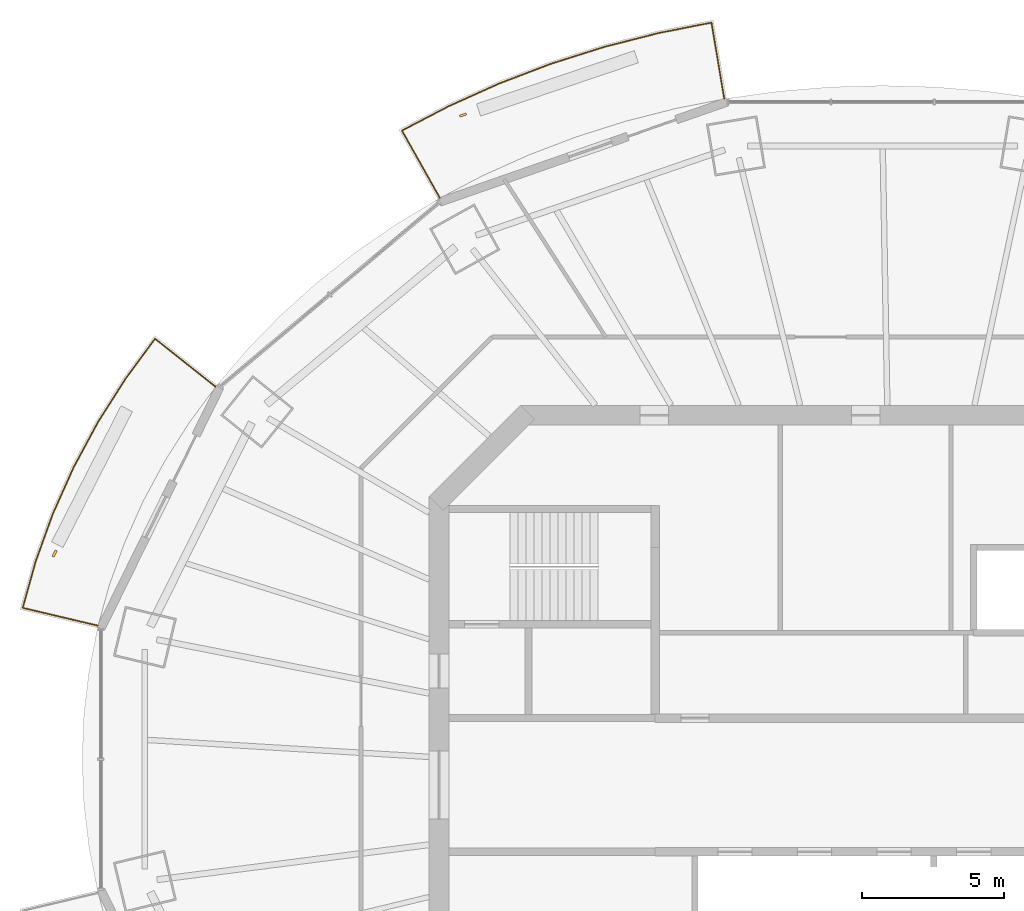
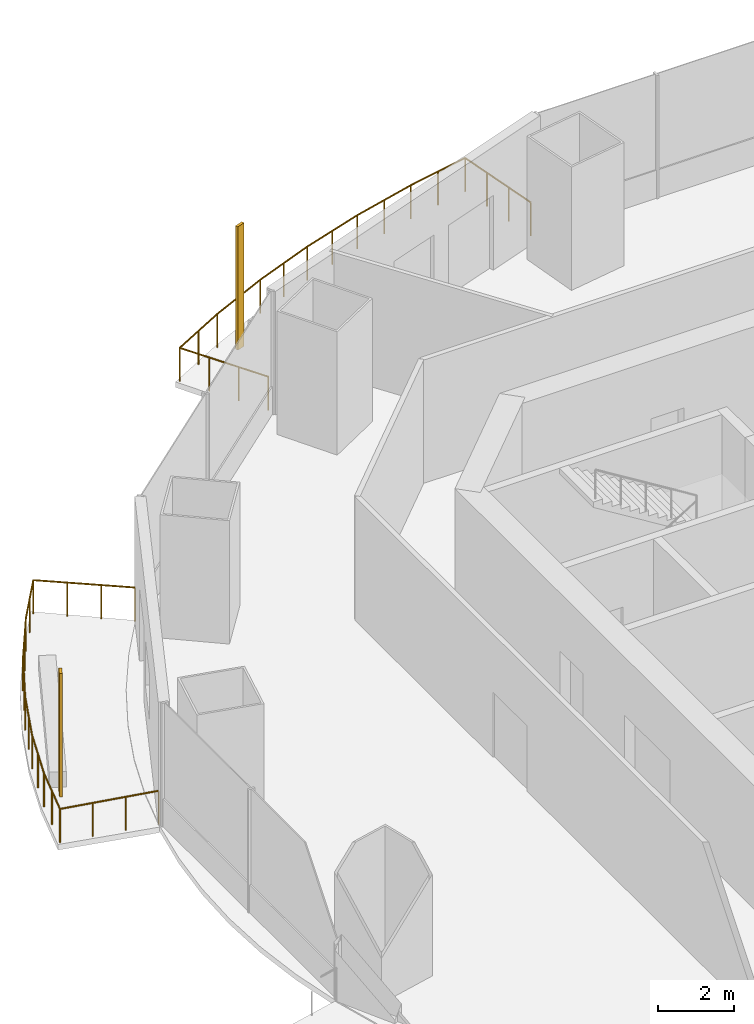
# One storey, part 14 of 16: 2 railings, 2 shading devices.
"""IFC4 building model written with IfcOpenShell, lengths in metres."""

import ifcopenshell
import ifcopenshell.guid

model = None  # the IFC model being written
_history = None  # IfcOwnerHistory: only IFC2X3 demands one
_inside = {}  # id of a spatial element -> (the spatial element, [elements in it])
_under = {}  # id of a project, library or spatial element -> (it, [spatial elements below it])
_declared = {}  # id of a project -> (the project, [libraries it declares])
_typed = {}  # id of a type object -> (the type object, [elements of that type])
_made_of = {}  # id of a material, layer set ... -> (it, [elements and type objects made of it])


def new_model(schema):
    """Start an empty IFC model of exactly this schema.

    Asked for "IFC4X3", IfcOpenShell would pick the latest addendum, in which some entities
    have other attributes; the version numbers below select the first issue.
    IFC2X3 requires an IfcOwnerHistory on every rooted entity: one is made here for all.
    """
    global model, _history
    if schema == "IFC4X3":
        model = ifcopenshell.file(schema_version=(4, 3, 0, 0))
    else:
        model = ifcopenshell.file(schema=schema)
    _inside.clear()
    _under.clear()
    _declared.clear()
    _typed.clear()
    _made_of.clear()
    _history = None
    if model.schema == "IFC2X3":
        org = make("IfcOrganization", Name="unknown")
        user = make(
            "IfcPersonAndOrganization",
            ThePerson=make("IfcPerson", FamilyName="unknown"),
            TheOrganization=org,
        )
        app = make(
            "IfcApplication",
            ApplicationDeveloper=org,
            Version="unknown",
            ApplicationFullName="unknown",
            ApplicationIdentifier="unknown",
        )
        _history = make(
            "IfcOwnerHistory",
            OwningUser=user,
            OwningApplication=app,
            ChangeAction="ADDED",
            CreationDate=0,
        )
    return model


def make(cls, **values):
    """One entity of the class cls with the attributes given. An attribute that is None is left unset."""
    return model.create_entity(
        cls, **{name: value for name, value in values.items() if value is not None}
    )


def rooted(cls, **values):
    """An entity with a GlobalId (a new one), such as an element, a storey or a relation."""
    return make(cls, GlobalId=ifcopenshell.guid.new(), OwnerHistory=_history, **values)


def si_unit(unit_type, name, prefix=None):
    """IfcSIUnit, for example si_unit("LENGTHUNIT", "METRE", prefix="MILLI")."""
    return make("IfcSIUnit", UnitType=unit_type, Prefix=prefix, Name=name)


def assignment(units):
    """IfcUnitAssignment: the units of a project."""
    return None if units is None else make("IfcUnitAssignment", Units=units)


def point(xyz):
    """IfcCartesianPoint."""
    return None if xyz is None else make("IfcCartesianPoint", Coordinates=xyz)


def direction(xyz):
    """IfcDirection."""
    return None if xyz is None else make("IfcDirection", DirectionRatios=xyz)


def frame(location, z_axis=None, x_axis=None):
    """IfcAxis2Placement3D, a coordinate frame: its origin and axes. An axis left out is left unset."""
    return make(
        "IfcAxis2Placement3D",
        Location=point(location),
        Axis=direction(z_axis),
        RefDirection=direction(x_axis),
    )


def frame_2d(location, x_axis=None):
    """IfcAxis2Placement2D, a coordinate frame in the plane: its origin and x axis."""
    return make(
        "IfcAxis2Placement2D", Location=point(location), RefDirection=direction(x_axis)
    )


def origin():
    """The frame at (0, 0, 0) with its axes left unset."""
    return frame((0.0, 0.0, 0.0))


def origin_2d():
    """The frame at (0, 0) in the plane with its x axis left unset."""
    return frame_2d((0.0, 0.0))


def place(relative_to, where):
    """IfcLocalPlacement: puts the frame where relative to a parent placement (None: the world)."""
    return make(
        "IfcLocalPlacement", PlacementRelTo=relative_to, RelativePlacement=where
    )


def context(
    kind, dimensions, precision=None, world=None, true_north=None, identifier=None
):
    """IfcGeometricRepresentationContext, for example the 3D "Model" context."""
    return make(
        "IfcGeometricRepresentationContext",
        ContextIdentifier=identifier,
        ContextType=kind,
        CoordinateSpaceDimension=dimensions,
        Precision=precision,
        WorldCoordinateSystem=world,
        TrueNorth=true_north,
    )


def subcontext(parent, identifier, kind, view, scale=None):
    """IfcGeometricRepresentationSubContext, for example "Body" below "Model"."""
    return make(
        "IfcGeometricRepresentationSubContext",
        ContextIdentifier=identifier,
        ContextType=kind,
        ParentContext=parent,
        TargetScale=scale,
        TargetView=view,
    )


def project(units=None, contexts=None):
    """IfcProject with its units and contexts."""
    return rooted(
        "IfcProject",
        Name="project",
        RepresentationContexts=contexts,
        UnitsInContext=assignment(units),
    )


def spatial(cls, under=None, at=None, **own):
    """A site, building, storey or space (cls), placed at a placement, below another one or the project."""
    s = rooted(cls, ObjectPlacement=at, **own)
    if under is not None:
        _under.setdefault(under.id(), (under, []))[1].append(s)
    return s


def profile(cls, at=None, kind="AREA", **sizes):
    """A parametric profile (cls). Its sizes go by their IFC names, for example OverallWidth=200.0."""
    return make(cls, ProfileType=kind, Position=at, **sizes)


def rectangle(**sizes):
    """IfcRectangleProfileDef."""
    return profile("IfcRectangleProfileDef", **sizes)


def circle(**sizes):
    """IfcCircleProfileDef."""
    return profile("IfcCircleProfileDef", **sizes)


def extrude(swept, where, along, depth):
    """IfcExtrudedAreaSolid: the profile swept, set in the frame where, extruded along a direction by depth."""
    return make(
        "IfcExtrudedAreaSolid",
        SweptArea=swept,
        Position=where,
        ExtrudedDirection=direction(along),
        Depth=depth,
    )


def shape(context_of_items, identifier, shape_type, items):
    """IfcShapeRepresentation: the items that make up one representation, for example the "Body"."""
    return make(
        "IfcShapeRepresentation",
        ContextOfItems=context_of_items,
        RepresentationIdentifier=identifier,
        RepresentationType=shape_type,
        Items=items,
    )


def material(Name=None, Category=None):
    """IfcMaterial."""
    return make("IfcMaterial", Name=Name, Category=Category)


def material_profile(
    of_material, cross_section, Name=None, Category=None, Priority=None
):
    """IfcMaterialProfile: a cross section and its material."""
    return make(
        "IfcMaterialProfile",
        Name=Name,
        Material=of_material,
        Profile=cross_section,
        Priority=Priority,
        Category=Category,
    )


def profile_set(profiles, Name=None, composite=None):
    """IfcMaterialProfileSet."""
    return make(
        "IfcMaterialProfileSet",
        Name=Name,
        MaterialProfiles=profiles,
        CompositeProfile=composite,
    )


def made_of(thing, what):
    """Note that an element or type object is made of a material, layer set ...; save() writes the relation."""
    if what is not None:
        _made_of.setdefault(what.id(), (what, []))[1].append(thing)
    return thing


def type_object(cls, material=None, **own):
    """A type object (cls), such as IfcWallType, which elements share."""
    return made_of(rooted(cls, **own), material)


def element(
    cls,
    number,
    at=None,
    inside=None,
    cuts=None,
    type_object=None,
    material=None,
    context=None,
    identifier="Body",
    shape_type=None,
    held_by="IfcProductDefinitionShape",
    body=None,
    shapes=None,
    **own,
):
    """One element of the class cls, such as IfcWall. Its Tag is "e" and its number.

    at: its placement. inside: the storey or other place that contains it. cuts: it is an
    opening in that element (IfcRelVoidsElement). A single representation is given by context,
    identifier, shape_type and body (its items); several are given by shapes. held_by: the class
    of the entity that holds the representations. save() writes the other relations.
    """
    e = rooted(cls, Tag="e%d" % number, ObjectPlacement=at, **own)
    if body is not None:
        shapes = [shape(context, identifier, shape_type, body)]
    if shapes is not None:
        e.Representation = make(held_by, Representations=shapes)
    if inside is not None:
        _inside.setdefault(inside.id(), (inside, []))[1].append(e)
    if cuts is not None:
        rooted(
            "IfcRelVoidsElement", RelatingBuildingElement=cuts, RelatedOpeningElement=e
        )
    if type_object is not None:
        _typed.setdefault(type_object.id(), (type_object, []))[1].append(e)
    return made_of(e, material)


def aggregate(whole, parts):
    """IfcRelAggregates: a whole, such as a stair, and the parts it consists of."""
    return rooted("IfcRelAggregates", RelatingObject=whole, RelatedObjects=parts)


def save(model, path):
    """Write the relations noted so far, then the file.

    IfcRelAggregates (storeys below a building ...), IfcRelContainedInSpatialStructure (elements
    in a storey), IfcRelDefinesByType, IfcRelAssociatesMaterial and IfcRelDeclares: one each for
    every whole, place, type object, material and project.
    """
    for whole, parts in _under.values():
        aggregate(whole, parts)
    for where, things in _inside.values():
        rooted(
            "IfcRelContainedInSpatialStructure",
            RelatedElements=things,
            RelatingStructure=where,
        )
    for kind, things in _typed.values():
        rooted("IfcRelDefinesByType", RelatedObjects=things, RelatingType=kind)
    for what, things in _made_of.values():
        rooted("IfcRelAssociatesMaterial", RelatedObjects=things, RelatingMaterial=what)
    for by, libraries in _declared.values():
        rooted("IfcRelDeclares", RelatingContext=by, RelatedDefinitions=libraries)
    model.write(path)


model = new_model("IFC4")

# Units and contexts
model_context = context("Model", 3, precision=1e-05, world=origin(), true_north=direction((0.0, 1.0)))
body_context = subcontext(model_context, "Body", "Model", "MODEL_VIEW")
ifc_project = project(units=[si_unit("LENGTHUNIT", "METRE"), si_unit("AREAUNIT", "SQUARE_METRE"), si_unit("VOLUMEUNIT", "CUBIC_METRE"), si_unit("PLANEANGLEUNIT", "RADIAN"), si_unit("MASSUNIT", "GRAM", prefix="KILO")], contexts=[model_context])

# Site, building, storey
site_placement = place(None, origin())
site = spatial("IfcSite", under=ifc_project, at=site_placement, CompositionType="ELEMENT")
building_placement = place(site_placement, origin())
building = spatial("IfcBuilding", under=site, at=building_placement, Name="Marenthal Gate Tower", CompositionType="ELEMENT")
storey_placement = place(building_placement, frame((0.0, 0.0, 313.550048828125)))
storey = spatial("IfcBuildingStorey", under=building, at=storey_placement, Name="L70", CompositionType="ELEMENT", Elevation=313.550048828125)

# Railings
ifc_material_1 = material(Name="Stainless steel", Category="steel")
railing_type = type_object("IfcRailingType", Name="Balcony guard 1100", PredefinedType="GUARDRAIL", material=ifc_material_1)
railing_1_placement = place(storey_placement, frame((-15.9716796875, 20.638427734375, 0.0)))
element("IfcRailing", 1, at=railing_1_placement, inside=storey, type_object=railing_type, Name="Balcony guard L70 bay 5", PredefinedType="GUARDRAIL", context=body_context, shape_type="SweptSolid", body=[
    extrude(circle(Radius=0.02392578125, at=origin_2d()), frame((0.0, 0.0, 1.076171875), z_axis=(-0.490459508418, 0.871339682934, -0.014718272531), x_axis=(-0.871434076359, -0.490512640571, 0.0)), (0.0, 0.0, 1.0), 2.720458984375),
    extrude(circle(Radius=0.02392578125, at=origin_2d()), frame((-1.334228515625, 2.370361328125, 1.0361328125), z_axis=(0.88661074156, 0.462516370467, 0.0), x_axis=(-0.462516370467, 0.88661074156, 0.0)), (0.0, 0.0, 1.0), 1.84912109375),
    extrude(circle(Radius=0.02392578125, at=origin_2d()), frame((0.30517578125, 3.2255859375, 1.0361328125), z_axis=(0.911982656783, 0.4102287578, 0.0), x_axis=(-0.4102287578, 0.911982656783, 0.0)), (0.0, 0.0, 1.0), 1.94189453125),
    extrude(circle(Radius=0.02392578125, at=origin_2d()), frame((2.076171875, 4.022216796875, 1.0361328125), z_axis=(0.934378809017, 0.356281126723, 0.0), x_axis=(-0.356281126723, 0.934378809017, 0.0)), (0.0, 0.0, 1.0), 1.95361328125),
    extrude(circle(Radius=0.02392578125, at=origin_2d()), frame((3.901611328125, 4.71826171875, 1.0361328125), z_axis=(0.953300483084, 0.302023490729, 0.0), x_axis=(-0.302023490729, 0.953300483084, 0.0)), (0.0, 0.0, 1.0), 1.96435546875),
    extrude(circle(Radius=0.02392578125, at=origin_2d()), frame((5.774169921875, 5.3115234375, 1.0361328125), z_axis=(0.968929698625, 0.247336287518, 0.0), x_axis=(-0.247336287518, 0.968929698625, 0.0)), (0.0, 0.0, 1.0), 1.97314453125),
    extrude(circle(Radius=0.02392578125, at=origin_2d()), frame((7.68603515625, 5.799560546875, 1.0361328125), z_axis=(0.981061826101, 0.193694846002, 0.0), x_axis=(-0.193694846002, 0.981061826101, 0.0)), (0.0, 0.0, 1.0), 1.900634765625),
    extrude(circle(Radius=0.02392578125, at=origin_2d()), frame((9.55078125, 6.167724609375, 1.0361328125), z_axis=(0.165225230724, -0.986146026723, 0.014718597414), x_axis=(0.986252861995, 0.165243130591, 0.0)), (0.0, 0.0, 1.0), 2.72021484375),
    extrude(circle(Radius=0.02099609375, at=origin_2d()), origin(), (0.0, 0.0, 1.0), 1.052001953125),
    extrude(circle(Radius=0.02099609375, at=origin_2d()), frame((-0.44482421875, 0.7900390625, -0.013427734375)), (0.0, 0.0, 1.0), 1.052001953125),
    extrude(circle(Radius=0.02099609375, at=origin_2d()), frame((-0.889404296875, 1.580322265625, -0.026611328125)), (0.0, 0.0, 1.0), 1.052001953125),
    extrude(circle(Radius=0.02099609375, at=origin_2d()), frame((-1.334228515625, 2.370361328125, -0.0400390625)), (0.0, 0.0, 1.0), 1.052001953125),
    extrude(circle(Radius=0.02099609375, at=origin_2d()), frame((-0.5146484375, 2.7978515625, -0.0400390625)), (0.0, 0.0, 1.0), 1.052001953125),
    extrude(circle(Radius=0.02099609375, at=origin_2d()), frame((0.30517578125, 3.2255859375, -0.0400390625)), (0.0, 0.0, 1.0), 1.052001953125),
    extrude(circle(Radius=0.02099609375, at=origin_2d()), frame((1.190673828125, 3.6240234375, -0.0400390625)), (0.0, 0.0, 1.0), 1.052001953125),
    extrude(circle(Radius=0.02099609375, at=origin_2d()), frame((2.076171875, 4.022216796875, -0.0400390625)), (0.0, 0.0, 1.0), 1.052001953125),
    extrude(circle(Radius=0.02099609375, at=origin_2d()), frame((2.98876953125, 4.3701171875, -0.0400390625)), (0.0, 0.0, 1.0), 1.052001953125),
    extrude(circle(Radius=0.02099609375, at=origin_2d()), frame((3.901611328125, 4.71826171875, -0.0400390625)), (0.0, 0.0, 1.0), 1.052001953125),
    extrude(circle(Radius=0.02099609375, at=origin_2d()), frame((4.837890625, 5.014892578125, -0.0400390625)), (0.0, 0.0, 1.0), 1.052001953125),
    extrude(circle(Radius=0.02099609375, at=origin_2d()), frame((5.774169921875, 5.3115234375, -0.0400390625)), (0.0, 0.0, 1.0), 1.052001953125),
    extrude(circle(Radius=0.02099609375, at=origin_2d()), frame((6.72998046875, 5.5556640625, -0.0400390625)), (0.0, 0.0, 1.0), 1.052001953125),
    extrude(circle(Radius=0.02099609375, at=origin_2d()), frame((7.68603515625, 5.799560546875, -0.0400390625)), (0.0, 0.0, 1.0), 1.052001953125),
    extrude(circle(Radius=0.02099609375, at=origin_2d()), frame((8.618408203125, 5.983642578125, -0.0400390625)), (0.0, 0.0, 1.0), 1.052001953125),
    extrude(circle(Radius=0.02099609375, at=origin_2d()), frame((9.55078125, 6.167724609375, -0.0400390625)), (0.0, 0.0, 1.0), 1.052001953125),
    extrude(circle(Radius=0.02099609375, at=origin_2d()), frame((9.70068359375, 5.2734375, -0.026611328125)), (0.0, 0.0, 1.0), 1.052001953125),
    extrude(circle(Radius=0.02099609375, at=origin_2d()), frame((9.850341796875, 4.37939453125, -0.013427734375)), (0.0, 0.0, 1.0), 1.052001953125),
    extrude(circle(Radius=0.02099609375, at=origin_2d()), frame((10.000244140625, 3.485107421875, 0.0)), (0.0, 0.0, 1.0), 1.052001953125),
])
railing_2_placement = place(storey_placement, frame((-27.99462890625, 5.599853515625, 0.0)))
element("IfcRailing", 2, at=railing_2_placement, inside=storey, type_object=railing_type, Name="Balcony guard L70 bay 7", PredefinedType="GUARDRAIL", context=body_context, shape_type="SweptSolid", body=[
    extrude(circle(Radius=0.02392578125, at=origin_2d()), frame((0.0, 0.0, 1.076171875), z_axis=(-0.973117172157, 0.229839811666, -0.014718363574), x_axis=(-0.229864710837, -0.973222592582, 0.0)), (0.0, 0.0, 1.0), 2.720458984375),
    extrude(circle(Radius=0.02392578125, at=origin_2d()), frame((-2.647216796875, 0.625244140625, 1.0361328125), z_axis=(0.268699441424, 0.963224070598, 0.0), x_axis=(-0.963224070598, 0.268699441424, 0.0)), (0.0, 0.0, 1.0), 1.693603515625),
    extrude(circle(Radius=0.02392578125, at=origin_2d()), frame((-2.192138671875, 2.256591796875, 1.0361328125), z_axis=(0.33912231199, 0.940742290699, 0.0), x_axis=(-0.940742290699, 0.33912231199, 0.0)), (0.0, 0.0, 1.0), 1.781005859375),
    extrude(circle(Radius=0.02392578125, at=origin_2d()), frame((-1.588134765625, 3.93212890625, 1.0361328125), z_axis=(0.408186684853, 0.912898477547, 0.0), x_axis=(-0.912898477547, 0.408186684853, 0.0)), (0.0, 0.0, 1.0), 1.790771484375),
    extrude(circle(Radius=0.02392578125, at=origin_2d()), frame((-0.857177734375, 5.56689453125, 1.0361328125), z_axis=(0.473954337588, 0.880549422736, 0.0), x_axis=(-0.880549422736, 0.473954337588, 0.0)), (0.0, 0.0, 1.0), 1.80126953125),
    extrude(circle(Radius=0.02392578125, at=origin_2d()), frame((-0.00341796875, 7.153076171875, 1.0361328125), z_axis=(0.536204581752, 0.844088056134, 0.0), x_axis=(-0.844088056134, 0.536204581752, 0.0)), (0.0, 0.0, 1.0), 1.8134765625),
    extrude(circle(Radius=0.02392578125, at=origin_2d()), frame((0.968994140625, 8.683837890625, 1.0361328125), z_axis=(0.592931999647, 0.805252534174, 0.0), x_axis=(-0.805252534174, 0.592931999647, 0.0)), (0.0, 0.0, 1.0), 1.74658203125),
    extrude(circle(Radius=0.02392578125, at=origin_2d()), frame((2.004638671875, 10.09033203125, 1.0361328125), z_axis=(0.783412805751, -0.621327397665, 0.014718719228), x_axis=(0.621394711002, 0.78349767909, 0.0)), (0.0, 0.0, 1.0), 2.72021484375),
    extrude(circle(Radius=0.02099609375, at=origin_2d()), origin(), (0.0, 0.0, 1.0), 1.052001953125),
    extrude(circle(Radius=0.02099609375, at=origin_2d()), frame((-0.88232421875, 0.20849609375, -0.013427734375)), (0.0, 0.0, 1.0), 1.052001953125),
    extrude(circle(Radius=0.02099609375, at=origin_2d()), frame((-1.764892578125, 0.416748046875, -0.026611328125)), (0.0, 0.0, 1.0), 1.052001953125),
    extrude(circle(Radius=0.02099609375, at=origin_2d()), frame((-2.647216796875, 0.625244140625, -0.0400390625)), (0.0, 0.0, 1.0), 1.052001953125),
    extrude(circle(Radius=0.02099609375, at=origin_2d()), frame((-2.419677734375, 1.44091796875, -0.0400390625)), (0.0, 0.0, 1.0), 1.052001953125),
    extrude(circle(Radius=0.02099609375, at=origin_2d()), frame((-2.192138671875, 2.256591796875, -0.0400390625)), (0.0, 0.0, 1.0), 1.052001953125),
    extrude(circle(Radius=0.02099609375, at=origin_2d()), frame((-1.89013671875, 3.09423828125, -0.0400390625)), (0.0, 0.0, 1.0), 1.052001953125),
    extrude(circle(Radius=0.02099609375, at=origin_2d()), frame((-1.588134765625, 3.93212890625, -0.0400390625)), (0.0, 0.0, 1.0), 1.052001953125),
    extrude(circle(Radius=0.02099609375, at=origin_2d()), frame((-1.22265625, 4.74951171875, -0.0400390625)), (0.0, 0.0, 1.0), 1.052001953125),
    extrude(circle(Radius=0.02099609375, at=origin_2d()), frame((-0.857177734375, 5.56689453125, -0.0400390625)), (0.0, 0.0, 1.0), 1.052001953125),
    extrude(circle(Radius=0.02099609375, at=origin_2d()), frame((-0.43017578125, 6.35986328125, -0.0400390625)), (0.0, 0.0, 1.0), 1.052001953125),
    extrude(circle(Radius=0.02099609375, at=origin_2d()), frame((-0.00341796875, 7.153076171875, -0.0400390625)), (0.0, 0.0, 1.0), 1.052001953125),
    extrude(circle(Radius=0.02099609375, at=origin_2d()), frame((0.48291015625, 7.91845703125, -0.0400390625)), (0.0, 0.0, 1.0), 1.052001953125),
    extrude(circle(Radius=0.02099609375, at=origin_2d()), frame((0.968994140625, 8.683837890625, -0.0400390625)), (0.0, 0.0, 1.0), 1.052001953125),
    extrude(circle(Radius=0.02099609375, at=origin_2d()), frame((1.48681640625, 9.38720703125, -0.0400390625)), (0.0, 0.0, 1.0), 1.052001953125),
    extrude(circle(Radius=0.02099609375, at=origin_2d()), frame((2.004638671875, 10.09033203125, -0.0400390625)), (0.0, 0.0, 1.0), 1.052001953125),
    extrude(circle(Radius=0.02099609375, at=origin_2d()), frame((2.715087890625, 9.52685546875, -0.026611328125)), (0.0, 0.0, 1.0), 1.052001953125),
    extrude(circle(Radius=0.02099609375, at=origin_2d()), frame((3.42529296875, 8.963623046875, -0.013427734375)), (0.0, 0.0, 1.0), 1.052001953125),
    extrude(circle(Radius=0.02099609375, at=origin_2d()), frame((4.1357421875, 8.400146484375, 0.0)), (0.0, 0.0, 1.0), 1.052001953125),
])

# Shading devices
ifc_material_2 = material(Name="Terracotta", Category="masonry")
ifc_material_profile = material_profile(ifc_material_2, rectangle(XDim=0.25, YDim=0.080078125, at=origin_2d()), Name="Terracotta baguette 250x80")
ifc_profile_set = profile_set([ifc_material_profile], Name="Terracotta")
shading_device_type = type_object("IfcShadingDeviceType", Name="Terracotta BAGUETTE SCREEN 250x80", PredefinedType="USERDEFINED", material=ifc_profile_set)
for number, where, z_axis, x_axis, name in (
    (3, (-15.156494140625, 23.55615234375, -0.0400390625), (0.0, 0.0, 1.0), (-0.944249095616, -0.329231902203, 0.0), "Terracotta BAGUETTE L70 bay 5R"),
    (4, (-29.52001953125, 8.13720703125, -0.0400390625), (0.0, 0.0, 1.0), (-0.441517596382, -0.897252591016, 0.0), "Terracotta BAGUETTE L70 bay 7R"),
):
    element("IfcShadingDevice", number, at=place(storey_placement, frame(where, z_axis=z_axis, x_axis=x_axis)), inside=storey, type_object=shading_device_type, Name=name, ObjectType="BAGUETTE SCREEN", PredefinedType="USERDEFINED", context=body_context, shape_type="SweptSolid", body=[
        extrude(rectangle(XDim=0.25, YDim=0.080078125, at=origin_2d()), origin(), (0.0, 0.0, 1.0), 3.969970703125),
    ])

save(model, "model.ifc")
